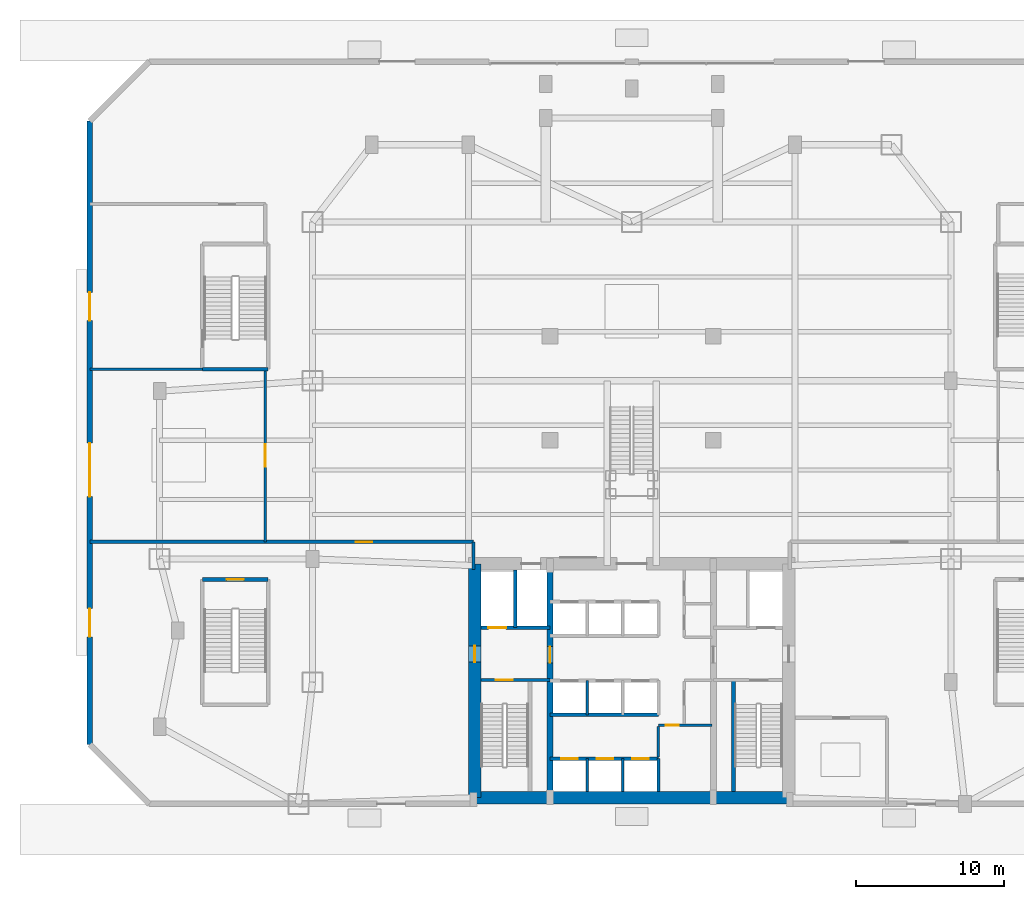
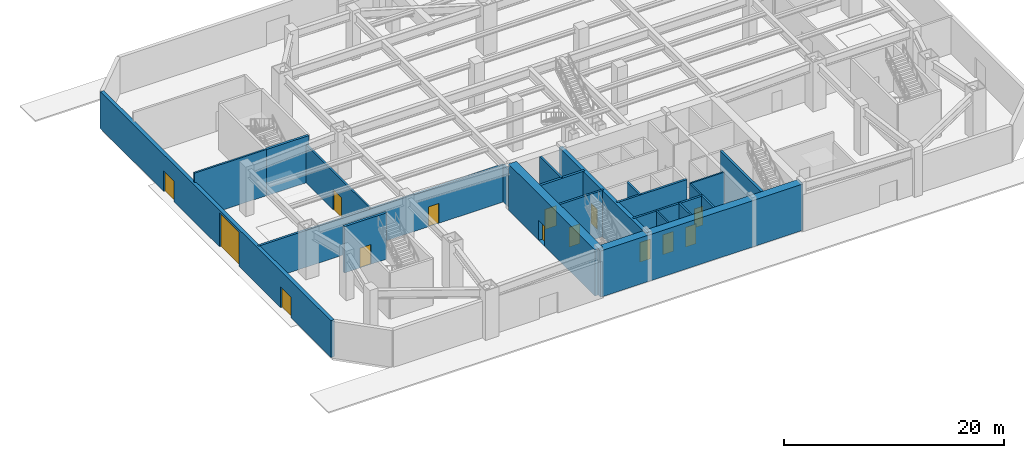
# One storey, part 5 of 11: 22 walls, 14 doors, 14 openings.
"""IFC4 building model written with IfcOpenShell, lengths in metres."""

import ifcopenshell
import ifcopenshell.guid

model = None  # the IFC model being written
_history = None  # IfcOwnerHistory: only IFC2X3 demands one
_inside = {}  # id of a spatial element -> (the spatial element, [elements in it])
_under = {}  # id of a project, library or spatial element -> (it, [spatial elements below it])
_declared = {}  # id of a project -> (the project, [libraries it declares])
_typed = {}  # id of a type object -> (the type object, [elements of that type])
_made_of = {}  # id of a material, layer set ... -> (it, [elements and type objects made of it])


def new_model(schema):
    """Start an empty IFC model of exactly this schema.

    Asked for "IFC4X3", IfcOpenShell would pick the latest addendum, in which some entities
    have other attributes; the version numbers below select the first issue.
    IFC2X3 requires an IfcOwnerHistory on every rooted entity: one is made here for all.
    """
    global model, _history
    if schema == "IFC4X3":
        model = ifcopenshell.file(schema_version=(4, 3, 0, 0))
    else:
        model = ifcopenshell.file(schema=schema)
    _inside.clear()
    _under.clear()
    _declared.clear()
    _typed.clear()
    _made_of.clear()
    _history = None
    if model.schema == "IFC2X3":
        org = make("IfcOrganization", Name="unknown")
        user = make(
            "IfcPersonAndOrganization",
            ThePerson=make("IfcPerson", FamilyName="unknown"),
            TheOrganization=org,
        )
        app = make(
            "IfcApplication",
            ApplicationDeveloper=org,
            Version="unknown",
            ApplicationFullName="unknown",
            ApplicationIdentifier="unknown",
        )
        _history = make(
            "IfcOwnerHistory",
            OwningUser=user,
            OwningApplication=app,
            ChangeAction="ADDED",
            CreationDate=0,
        )
    return model


def make(cls, **values):
    """One entity of the class cls with the attributes given. An attribute that is None is left unset."""
    return model.create_entity(
        cls, **{name: value for name, value in values.items() if value is not None}
    )


def rooted(cls, **values):
    """An entity with a GlobalId (a new one), such as an element, a storey or a relation."""
    return make(cls, GlobalId=ifcopenshell.guid.new(), OwnerHistory=_history, **values)


def si_unit(unit_type, name, prefix=None):
    """IfcSIUnit, for example si_unit("LENGTHUNIT", "METRE", prefix="MILLI")."""
    return make("IfcSIUnit", UnitType=unit_type, Prefix=prefix, Name=name)


def assignment(units):
    """IfcUnitAssignment: the units of a project."""
    return None if units is None else make("IfcUnitAssignment", Units=units)


def point(xyz):
    """IfcCartesianPoint."""
    return None if xyz is None else make("IfcCartesianPoint", Coordinates=xyz)


def direction(xyz):
    """IfcDirection."""
    return None if xyz is None else make("IfcDirection", DirectionRatios=xyz)


def frame(location, z_axis=None, x_axis=None):
    """IfcAxis2Placement3D, a coordinate frame: its origin and axes. An axis left out is left unset."""
    return make(
        "IfcAxis2Placement3D",
        Location=point(location),
        Axis=direction(z_axis),
        RefDirection=direction(x_axis),
    )


def frame_2d(location, x_axis=None):
    """IfcAxis2Placement2D, a coordinate frame in the plane: its origin and x axis."""
    return make(
        "IfcAxis2Placement2D", Location=point(location), RefDirection=direction(x_axis)
    )


def origin():
    """The frame at (0, 0, 0) with its axes left unset."""
    return frame((0.0, 0.0, 0.0))


def place(relative_to, where):
    """IfcLocalPlacement: puts the frame where relative to a parent placement (None: the world)."""
    return make(
        "IfcLocalPlacement", PlacementRelTo=relative_to, RelativePlacement=where
    )


def context(
    kind, dimensions, precision=None, world=None, true_north=None, identifier=None
):
    """IfcGeometricRepresentationContext, for example the 3D "Model" context."""
    return make(
        "IfcGeometricRepresentationContext",
        ContextIdentifier=identifier,
        ContextType=kind,
        CoordinateSpaceDimension=dimensions,
        Precision=precision,
        WorldCoordinateSystem=world,
        TrueNorth=true_north,
    )


def subcontext(parent, identifier, kind, view, scale=None):
    """IfcGeometricRepresentationSubContext, for example "Body" below "Model"."""
    return make(
        "IfcGeometricRepresentationSubContext",
        ContextIdentifier=identifier,
        ContextType=kind,
        ParentContext=parent,
        TargetScale=scale,
        TargetView=view,
    )


def project(units=None, contexts=None):
    """IfcProject with its units and contexts."""
    return rooted(
        "IfcProject",
        Name="project",
        RepresentationContexts=contexts,
        UnitsInContext=assignment(units),
    )


def spatial(cls, under=None, at=None, **own):
    """A site, building, storey or space (cls), placed at a placement, below another one or the project."""
    s = rooted(cls, ObjectPlacement=at, **own)
    if under is not None:
        _under.setdefault(under.id(), (under, []))[1].append(s)
    return s


def profile(cls, at=None, kind="AREA", **sizes):
    """A parametric profile (cls). Its sizes go by their IFC names, for example OverallWidth=200.0."""
    return make(cls, ProfileType=kind, Position=at, **sizes)


def rectangle(**sizes):
    """IfcRectangleProfileDef."""
    return profile("IfcRectangleProfileDef", **sizes)


def extrude(swept, where, along, depth):
    """IfcExtrudedAreaSolid: the profile swept, set in the frame where, extruded along a direction by depth."""
    return make(
        "IfcExtrudedAreaSolid",
        SweptArea=swept,
        Position=where,
        ExtrudedDirection=direction(along),
        Depth=depth,
    )


def shape(context_of_items, identifier, shape_type, items):
    """IfcShapeRepresentation: the items that make up one representation, for example the "Body"."""
    return make(
        "IfcShapeRepresentation",
        ContextOfItems=context_of_items,
        RepresentationIdentifier=identifier,
        RepresentationType=shape_type,
        Items=items,
    )


def source(mapping_origin, context_of_items, identifier, shape_type, items):
    """IfcRepresentationMap: a shape defined once, which mapped items show again and again."""
    return make(
        "IfcRepresentationMap",
        MappingOrigin=mapping_origin,
        MappedRepresentation=shape(context_of_items, identifier, shape_type, items),
    )


def transform(
    local_origin,
    x_axis=None,
    y_axis=None,
    z_axis=None,
    scale=None,
    scale2=None,
    scale3=None,
    uniform=True,
):
    """IfcCartesianTransformationOperator3D, or its non-uniform kind. x_axis, y_axis, z_axis: its Axis1, 2, 3."""
    if uniform:
        return make(
            "IfcCartesianTransformationOperator3D",
            Axis1=direction(x_axis),
            Axis2=direction(y_axis),
            LocalOrigin=point(local_origin),
            Scale=scale,
            Axis3=direction(z_axis),
        )
    return make(
        "IfcCartesianTransformationOperator3DnonUniform",
        Axis1=direction(x_axis),
        Axis2=direction(y_axis),
        LocalOrigin=point(local_origin),
        Scale=scale,
        Axis3=direction(z_axis),
        Scale2=scale2,
        Scale3=scale3,
    )


def mapped(mapping_source, mapping_target):
    """IfcMappedItem: shows the shape of a source again, moved by a transform."""
    return make(
        "IfcMappedItem", MappingSource=mapping_source, MappingTarget=mapping_target
    )


def material(Name=None, Category=None):
    """IfcMaterial."""
    return make("IfcMaterial", Name=Name, Category=Category)


def layer(
    of_material, thickness, ventilated=None, Name=None, Category=None, Priority=None
):
    """IfcMaterialLayer: one layer of a wall or slab, of a material (None: an air gap)."""
    return make(
        "IfcMaterialLayer",
        Material=of_material,
        LayerThickness=thickness,
        IsVentilated=ventilated,
        Name=Name,
        Category=Category,
        Priority=Priority,
    )


def layer_set(layers, Name=None):
    """IfcMaterialLayerSet."""
    return make("IfcMaterialLayerSet", MaterialLayers=layers, LayerSetName=Name)


def made_of(thing, what):
    """Note that an element or type object is made of a material, layer set ...; save() writes the relation."""
    if what is not None:
        _made_of.setdefault(what.id(), (what, []))[1].append(thing)
    return thing


def type_object(cls, material=None, **own):
    """A type object (cls), such as IfcWallType, which elements share."""
    return made_of(rooted(cls, **own), material)


def type_shapes(of_type, sources):
    """Give a type object the sources (RepresentationMaps) that its elements show as mapped items."""
    of_type.RepresentationMaps = sources


def element(
    cls,
    number,
    at=None,
    inside=None,
    cuts=None,
    type_object=None,
    material=None,
    context=None,
    identifier="Body",
    shape_type=None,
    held_by="IfcProductDefinitionShape",
    body=None,
    shapes=None,
    **own,
):
    """One element of the class cls, such as IfcWall. Its Tag is "e" and its number.

    at: its placement. inside: the storey or other place that contains it. cuts: it is an
    opening in that element (IfcRelVoidsElement). A single representation is given by context,
    identifier, shape_type and body (its items); several are given by shapes. held_by: the class
    of the entity that holds the representations. save() writes the other relations.
    """
    e = rooted(cls, Tag="e%d" % number, ObjectPlacement=at, **own)
    if body is not None:
        shapes = [shape(context, identifier, shape_type, body)]
    if shapes is not None:
        e.Representation = make(held_by, Representations=shapes)
    if inside is not None:
        _inside.setdefault(inside.id(), (inside, []))[1].append(e)
    if cuts is not None:
        rooted(
            "IfcRelVoidsElement", RelatingBuildingElement=cuts, RelatedOpeningElement=e
        )
    if type_object is not None:
        _typed.setdefault(type_object.id(), (type_object, []))[1].append(e)
    return made_of(e, material)


def fill(opening, filler):
    """IfcRelFillsElement: the door or window that sits in an opening."""
    return rooted(
        "IfcRelFillsElement",
        RelatingOpeningElement=opening,
        RelatedBuildingElement=filler,
    )


def aggregate(whole, parts):
    """IfcRelAggregates: a whole, such as a stair, and the parts it consists of."""
    return rooted("IfcRelAggregates", RelatingObject=whole, RelatedObjects=parts)


def save(model, path):
    """Write the relations noted so far, then the file.

    IfcRelAggregates (storeys below a building ...), IfcRelContainedInSpatialStructure (elements
    in a storey), IfcRelDefinesByType, IfcRelAssociatesMaterial and IfcRelDeclares: one each for
    every whole, place, type object, material and project.
    """
    for whole, parts in _under.values():
        aggregate(whole, parts)
    for where, things in _inside.values():
        rooted(
            "IfcRelContainedInSpatialStructure",
            RelatedElements=things,
            RelatingStructure=where,
        )
    for kind, things in _typed.values():
        rooted("IfcRelDefinesByType", RelatedObjects=things, RelatingType=kind)
    for what, things in _made_of.values():
        rooted("IfcRelAssociatesMaterial", RelatedObjects=things, RelatingMaterial=what)
    for by, libraries in _declared.values():
        rooted("IfcRelDeclares", RelatingContext=by, RelatedDefinitions=libraries)
    model.write(path)


model = new_model("IFC4")

# Units and contexts
model_context = context("Model", 3, precision=1e-05, world=origin(), true_north=direction((0.0, 1.0)))
body_context = subcontext(model_context, "Body", "Model", "MODEL_VIEW")
ifc_project = project(units=[si_unit("LENGTHUNIT", "METRE"), si_unit("AREAUNIT", "SQUARE_METRE"), si_unit("VOLUMEUNIT", "CUBIC_METRE"), si_unit("PLANEANGLEUNIT", "RADIAN"), si_unit("MASSUNIT", "GRAM", prefix="KILO")], contexts=[model_context])

# Site, building, storey
site_placement = place(None, origin())
site = spatial("IfcSite", under=ifc_project, at=site_placement, CompositionType="ELEMENT")
building_placement = place(site_placement, origin())
building = spatial("IfcBuilding", under=site, at=building_placement, Name="Varnakhor Terracotta Tower", CompositionType="ELEMENT")
storey_placement = place(building_placement, origin())
storey = spatial("IfcBuildingStorey", under=building, at=storey_placement, Name="L00", CompositionType="ELEMENT", Elevation=0.0)

# Wall
ifc_material_1 = material(Name="Concrete C60/75", Category="concrete")
ifc_layer_1 = layer(ifc_material_1, 0.85009765625, Name="Concrete C60/75")
ifc_layer_set_1 = layer_set([ifc_layer_1], Name="Concrete C60/75")
wall_type_1 = type_object("IfcWallType", Name="WAL-CORE-850", PredefinedType="SHEAR", material=ifc_layer_set_1)
wall_1_placement = place(storey_placement, frame((-10.64990234375, 0.425048828125, 0.0), z_axis=(0.0, 0.0, 1.0), x_axis=(1.0, 0.0, 0.0)))
element("IfcWall", 1, at=wall_1_placement, inside=storey, type_object=wall_type_1, Name="L00 South Core Shear Wall", PredefinedType="SHEAR", context=body_context, shape_type="SweptSolid", body=[
    extrude(rectangle(XDim=21.2998046875, YDim=0.85009765625, at=frame_2d((10.64990234375, 0.0))), origin(), (0.0, 0.0, 1.0), 5.14990234375),
])

# Wall, opening, door
wall_2_placement = place(storey_placement, frame((-10.574951171875, 0.425048828125, 0.0), z_axis=(0.0, 0.0, 1.0), x_axis=(0.0, 1.0, 0.0)))
wall_2 = element("IfcWall", 2, at=wall_2_placement, inside=storey, type_object=wall_type_1, Name="L00 West Core Shear Wall", PredefinedType="SHEAR", context=body_context, shape_type="SweptSolid", body=[
    extrude(rectangle(XDim=15.75, YDim=0.85009765625, at=frame_2d((7.875, 0.0))), origin(), (0.0, 0.0, 1.0), 5.14990234375),
])
opening_1_placement = place(wall_2_placement, frame((9.125, 0.0, 0.0)))
opening_1 = element("IfcOpeningElement", 3, at=opening_1_placement, cuts=wall_2, Name="Opening DR-25", PredefinedType="OPENING", context=body_context, shape_type="SweptSolid", body=[
    extrude(rectangle(XDim=1.10009765625, YDim=2.199951171875, at=frame_2d((0.550048828125, 1.10009765625))), frame((0.0, 0.43505859375, 0.0), z_axis=(0.0, -1.0, 0.0), x_axis=(1.0, 0.0, 0.0)), (0.0, 0.0, 1.0), 0.8701171875),
])
ifc_material_2 = material(Name="Firefighting Lobby Self-Closing Fire Door", Category="steel")
door_type_1 = type_object("IfcDoorType", Name="DR-FFL-1100X2200", OperationType="NOTDEFINED", PredefinedType="DOOR", material=ifc_material_2)
shared_shape_1 = source(origin(), body_context, "Body", "SweptSolid", [
    extrude(rectangle(XDim=1.10009765625, YDim=2.199951171875, at=frame_2d((0.550048828125, 1.10009765625))), frame((0.0, 0.02490234375, 0.0), z_axis=(0.0, -1.0, 0.0), x_axis=(1.0, 0.0, 0.0)), (0.0, 0.0, 1.0), 0.050048828125),
])
type_shapes(door_type_1, [shared_shape_1])
door_1_placement = place(opening_1_placement, origin())
door_1 = element("IfcDoor", 4, at=door_1_placement, inside=storey, type_object=door_type_1, Name="L00 West Core Stair Protected Discharge Door", OperationType="SINGLE_SWING_LEFT", OverallHeight=2.199951171875, OverallWidth=1.10009765625, PredefinedType="DOOR", context=body_context, shape_type="MappedRepresentation", body=[
    mapped(shared_shape_1, transform((0.0, 0.0, 0.0), scale=1.0)),
])
fill(opening_1, door_1)

ifc_material_3 = material(Name="Concrete C50/60", Category="concrete")
ifc_layer_2 = layer(ifc_material_3, 0.39990234375, Name="Concrete C50/60")
ifc_layer_set_2 = layer_set([ifc_layer_2], Name="Concrete C50/60")
wall_type_2 = type_object("IfcWallType", Name="WAL-CORE-WEB-400", PredefinedType="SHEAR", material=ifc_layer_set_2)
wall_3_placement = place(storey_placement, frame((-5.5, 0.425048828125, 0.0), z_axis=(0.0, 0.0, 1.0), x_axis=(0.0, 1.0, 0.0)))
wall_3 = element("IfcWall", 5, at=wall_3_placement, inside=storey, type_object=wall_type_2, Name="L00 West Core Web Shear Wall", PredefinedType="SHEAR", context=body_context, shape_type="SweptSolid", body=[
    extrude(rectangle(XDim=15.75, YDim=0.39990234375, at=frame_2d((7.875, 0.0))), origin(), (0.0, 0.0, 1.0), 5.14990234375),
])
opening_2_placement = place(wall_3_placement, frame((9.074951171875, 0.0, 0.0)))
opening_2 = element("IfcOpeningElement", 6, at=opening_2_placement, cuts=wall_3, Name="Opening DR-25", PredefinedType="OPENING", context=body_context, shape_type="SweptSolid", body=[
    extrude(rectangle(XDim=1.10009765625, YDim=2.199951171875, at=frame_2d((0.550048828125, 1.10009765625))), frame((0.0, 0.2099609375, 0.0), z_axis=(0.0, -1.0, 0.0), x_axis=(1.0, 0.0, 0.0)), (0.0, 0.0, 1.0), 0.419921875),
])
door_2_placement = place(opening_2_placement, origin())
door_2 = element("IfcDoor", 7, at=door_2_placement, inside=storey, type_object=door_type_1, Name="L00 West Firefighting Lobby Door", OperationType="SINGLE_SWING_RIGHT", OverallHeight=2.199951171875, OverallWidth=1.10009765625, PredefinedType="DOOR", context=body_context, shape_type="MappedRepresentation", body=[
    mapped(shared_shape_1, transform((0.0, 0.0, 0.0), scale=1.0)),
])
fill(opening_2, door_2)

ifc_material_4 = material(Name="Fire-Rated Gypsum Stud Partition", Category="gypsum")
ifc_layer_3 = layer(ifc_material_4, 0.18505859375, Name="Fire-Rated Gypsum Stud Partition")
ifc_layer_set_3 = layer_set([ifc_layer_3], Name="Fire-Rated Gypsum Stud Partition")
wall_type_3 = type_object("IfcWallType", Name="WAL-CORR-185", PredefinedType="PARTITIONING", material=ifc_layer_set_3)
wall_4_placement = place(storey_placement, frame((-24.679931640625, 17.64990234375, 0.0), z_axis=(0.0, 0.0, 1.0), x_axis=(0.0, 1.0, 0.0)))
wall_4 = element("IfcWall", 8, at=wall_4_placement, inside=storey, type_object=wall_type_3, Name="L00 Loading Bay Separation Wall", PredefinedType="PARTITIONING", context=body_context, shape_type="SweptSolid", body=[
    extrude(rectangle(XDim=11.630126953125, YDim=0.18505859375, at=frame_2d((5.81494140625, 0.0))), origin(), (0.0, 0.0, 1.0), 4.215087890625),
])
opening_3_placement = place(wall_4_placement, frame((5.06494140625, 0.0, 0.0)))
opening_3 = element("IfcOpeningElement", 9, at=opening_3_placement, cuts=wall_4, Name="Opening DR-30", PredefinedType="OPENING", context=body_context, shape_type="SweptSolid", body=[
    extrude(rectangle(XDim=1.5, YDim=2.25, at=frame_2d((0.75, 1.125))), frame((0.0, 0.1025390625, 0.0), z_axis=(0.0, -1.0, 0.0), x_axis=(1.0, 0.0, 0.0)), (0.0, 0.0, 1.0), 0.205078125),
])
ifc_material_5 = material(Name="Double Acoustic Conference Room Door", Category="wood")
door_type_2 = type_object("IfcDoorType", Name="DR-MEET-1500X2250", OperationType="NOTDEFINED", PredefinedType="DOOR", material=ifc_material_5)
shared_shape_2 = source(origin(), body_context, "Body", "SweptSolid", [
    extrude(rectangle(XDim=1.5, YDim=2.25, at=frame_2d((0.75, 1.125))), frame((0.0, 0.02490234375, 0.0), z_axis=(0.0, -1.0, 0.0), x_axis=(1.0, 0.0, 0.0)), (0.0, 0.0, 1.0), 0.050048828125),
])
type_shapes(door_type_2, [shared_shape_2])
door_3_placement = place(opening_3_placement, origin())
door_3 = element("IfcDoor", 10, at=door_3_placement, inside=storey, type_object=door_type_2, Name="Loading Bay Vestibule Door", OperationType="DOUBLE_DOOR_SINGLE_SWING", OverallHeight=2.25, OverallWidth=1.5, PredefinedType="DOOR", context=body_context, shape_type="MappedRepresentation", body=[
    mapped(shared_shape_2, transform((0.0, 0.0, 0.0), scale=1.0)),
])
fill(opening_3, door_3)

# Wall
wall_5_placement = place(storey_placement, frame((-36.489990234375, 29.280029296875, 0.0), z_axis=(0.0, 0.0, 1.0), x_axis=(1.0, 0.0, 0.0)))
element("IfcWall", 11, at=wall_5_placement, inside=storey, type_object=wall_type_3, Name="L00 Loading Bay North Wall", PredefinedType="PARTITIONING", context=body_context, shape_type="SweptSolid", body=[
    extrude(rectangle(XDim=7.570068359375, YDim=0.18505859375, at=frame_2d((3.78515625, 0.0))), origin(), (0.0, 0.0, 1.0), 5.14208984375),
])

# Wall, openings, doors
ifc_material_6 = material(Name="Honed Riyadh Limestone Assembly", Category="masonry")
ifc_layer_4 = layer(ifc_material_6, 0.3798828125, Name="Honed Riyadh Limestone Assembly")
ifc_layer_set_4 = layer_set([ifc_layer_4], Name="Honed Riyadh Limestone Assembly")
wall_type_4 = type_object("IfcWallType", Name="WAL-EXT-LIMESTONE-380", PredefinedType="SOLIDWALL", material=ifc_layer_set_4)
wall_6_placement = place(storey_placement, frame((-36.5, 4.0, 0.0), z_axis=(0.0, 0.0, 1.0), x_axis=(0.0, 1.0, 0.0)))
wall_6 = element("IfcWall", 12, at=wall_6_placement, inside=storey, type_object=wall_type_4, Name="L00 Podium Side Limestone Wall 1", PredefinedType="SOLIDWALL", context=body_context, shape_type="SweptSolid", body=[
    extrude(rectangle(XDim=42.0, YDim=0.3798828125, at=frame_2d((21.0, 0.0))), origin(), (0.0, 0.0, 1.0), 4.090087890625),
])
opening_4_placement = place(wall_6_placement, frame((7.25, 0.0, 0.0)))
opening_4 = element("IfcOpeningElement", 13, at=opening_4_placement, cuts=wall_6, Name="Opening DR-56", PredefinedType="OPENING", context=body_context, shape_type="SweptSolid", body=[
    extrude(rectangle(XDim=1.89990234375, YDim=2.300048828125, at=frame_2d((0.949951171875, 1.14990234375))), frame((0.0, 0.199951171875, 0.0), z_axis=(0.0, -1.0, 0.0), x_axis=(1.0, 0.0, 0.0)), (0.0, 0.0, 1.0), 0.39990234375),
])
opening_5_placement = place(wall_6_placement, frame((28.550048828125, 0.0, 0.0)))
opening_5 = element("IfcOpeningElement", 14, at=opening_5_placement, cuts=wall_6, Name="Opening DR-56", PredefinedType="OPENING", context=body_context, shape_type="SweptSolid", body=[
    extrude(rectangle(XDim=1.89990234375, YDim=2.300048828125, at=frame_2d((0.949951171875, 1.14990234375))), frame((0.0, 0.199951171875, 0.0), z_axis=(0.0, -1.0, 0.0), x_axis=(1.0, 0.0, 0.0)), (0.0, 0.0, 1.0), 0.39990234375),
])
opening_6_placement = place(wall_6_placement, frame((16.699951171875, 0.0, 0.0)))
opening_6 = element("IfcOpeningElement", 15, at=opening_6_placement, cuts=wall_6, Name="Opening DR-14", PredefinedType="OPENING", context=body_context, shape_type="SweptSolid", body=[
    extrude(rectangle(XDim=3.60009765625, YDim=3.800048828125, at=frame_2d((1.800048828125, 1.89990234375))), frame((0.0, 0.199951171875, 0.0), z_axis=(0.0, -1.0, 0.0), x_axis=(1.0, 0.0, 0.0)), (0.0, 0.0, 1.0), 0.39990234375),
])
ifc_material_7 = material(Name="Insulated Steel Double Exit Door", Category="steel")
door_type_3 = type_object("IfcDoorType", Name="DR-EXT-EXIT-1900X2300", OperationType="NOTDEFINED", PredefinedType="DOOR", material=ifc_material_7)
shared_shape_3 = source(origin(), body_context, "Body", "SweptSolid", [
    extrude(rectangle(XDim=1.89990234375, YDim=2.300048828125, at=frame_2d((0.949951171875, 1.14990234375))), frame((0.0, 0.02490234375, 0.0), z_axis=(0.0, -1.0, 0.0), x_axis=(1.0, 0.0, 0.0)), (0.0, 0.0, 1.0), 0.050048828125),
])
type_shapes(door_type_3, [shared_shape_3])
door_4_placement = place(opening_4_placement, origin())
door_4 = element("IfcDoor", 16, at=door_4_placement, inside=storey, type_object=door_type_3, Name="L00 Podium Exit Discharge Door W1", OperationType="DOUBLE_DOOR_SINGLE_SWING", OverallHeight=2.300048828125, OverallWidth=1.89990234375, PredefinedType="DOOR", context=body_context, shape_type="MappedRepresentation", body=[
    mapped(shared_shape_3, transform((0.0, 0.0, 0.0), scale=1.0)),
])
fill(opening_4, door_4)
door_5_placement = place(opening_5_placement, origin())
door_5 = element("IfcDoor", 17, at=door_5_placement, inside=storey, type_object=door_type_3, Name="L00 Podium Exit Discharge Door W2", OperationType="DOUBLE_DOOR_SINGLE_SWING", OverallHeight=2.300048828125, OverallWidth=1.89990234375, PredefinedType="DOOR", context=body_context, shape_type="MappedRepresentation", body=[
    mapped(shared_shape_3, transform((0.0, 0.0, 0.0), scale=1.0)),
])
fill(opening_5, door_5)
ifc_material_8 = material(Name="Insulated Sectional Steel Service Bay Gate", Category="steel")
door_type_4 = type_object("IfcDoorType", Name="DR-GATE-3600X3800", OperationType="NOTDEFINED", PredefinedType="GATE", material=ifc_material_8)
shared_shape_4 = source(origin(), body_context, "Body", "SweptSolid", [
    extrude(rectangle(XDim=3.60009765625, YDim=3.800048828125, at=frame_2d((1.800048828125, 1.89990234375))), frame((0.0, 0.02490234375, 0.0), z_axis=(0.0, -1.0, 0.0), x_axis=(1.0, 0.0, 0.0)), (0.0, 0.0, 1.0), 0.050048828125),
])
type_shapes(door_type_4, [shared_shape_4])
door_6_placement = place(opening_6_placement, origin())
door_6 = element("IfcDoor", 18, at=door_6_placement, inside=storey, type_object=door_type_4, Name="L00 Service Loading Bay Gate", OperationType="FOLDING_TO_LEFT", OverallHeight=3.800048828125, OverallWidth=3.60009765625, PredefinedType="GATE", context=body_context, shape_type="MappedRepresentation", body=[
    mapped(shared_shape_4, transform((0.0, 0.0, 0.0), scale=1.0)),
])
fill(opening_6, door_6)

# Wall, opening, door
ifc_material_9 = material(Name="Concrete C40/50", Category="concrete")
ifc_layer_5 = layer(ifc_material_9, 0.219970703125, Name="Concrete C40/50")
ifc_layer_set_5 = layer_set([ifc_layer_5], Name="Concrete C40/50")
wall_type_5 = type_object("IfcWallType", Name="WAL-FFLOBBY-220", PredefinedType="SOLIDWALL", material=ifc_layer_set_5)
wall_7_placement = place(storey_placement, frame((-10.14990234375, 8.35009765625, 0.0), z_axis=(0.0, 0.0, 1.0), x_axis=(1.0, 0.0, 0.0)))
wall_7 = element("IfcWall", 19, at=wall_7_placement, inside=storey, type_object=wall_type_5, Name="L00 West Firefighting Lobby Stair Wall", PredefinedType="SOLIDWALL", context=body_context, shape_type="SweptSolid", body=[
    extrude(rectangle(XDim=4.64990234375, YDim=0.219970703125, at=frame_2d((2.324951171875, 0.0))), origin(), (0.0, 0.0, 1.0), 5.14990234375),
])
opening_7_placement = place(wall_7_placement, frame((1.0, 0.0, 0.0)))
opening_7 = element("IfcOpeningElement", 20, at=opening_7_placement, cuts=wall_7, Name="Opening DR-34", PredefinedType="OPENING", context=body_context, shape_type="SweptSolid", body=[
    extrude(rectangle(XDim=1.14990234375, YDim=2.199951171875, at=frame_2d((0.574951171875, 1.10009765625))), frame((0.0, 0.1201171875, 0.0), z_axis=(0.0, -1.0, 0.0), x_axis=(1.0, 0.0, 0.0)), (0.0, 0.0, 1.0), 0.239990234375),
])
ifc_material_10 = material(Name="Self-Closing Smoke-Sealed Steel Fire Door", Category="steel")
door_type_5 = type_object("IfcDoorType", Name="DR-STAIR-1150X2200", OperationType="NOTDEFINED", PredefinedType="DOOR", material=ifc_material_10)
shared_shape_5 = source(origin(), body_context, "Body", "SweptSolid", [
    extrude(rectangle(XDim=1.14990234375, YDim=2.199951171875, at=frame_2d((0.574951171875, 1.10009765625))), frame((0.0, 0.02490234375, 0.0), z_axis=(0.0, -1.0, 0.0), x_axis=(1.0, 0.0, 0.0)), (0.0, 0.0, 1.0), 0.050048828125),
])
type_shapes(door_type_5, [shared_shape_5])
door_7_placement = place(opening_7_placement, origin())
door_7 = element("IfcDoor", 21, at=door_7_placement, inside=storey, type_object=door_type_5, Name="L00 Exit Stair ST-1 Fire Door", OperationType="SINGLE_SWING_LEFT", OverallHeight=2.199951171875, OverallWidth=1.14990234375, PredefinedType="DOOR", context=body_context, shape_type="MappedRepresentation", body=[
    mapped(shared_shape_5, transform((0.0, 0.0, 0.0), scale=1.0)),
])
fill(opening_7, door_7)

wall_8_placement = place(storey_placement, frame((-36.489990234375, 17.64990234375, 0.0), z_axis=(0.0, 0.0, 1.0), x_axis=(1.0, 0.0, 0.0)))
wall_8 = element("IfcWall", 22, at=wall_8_placement, inside=storey, type_object=wall_type_5, Name="L00 West Protected Exit Passageway North Wall", PredefinedType="SOLIDWALL", context=body_context, shape_type="SweptSolid", body=[
    extrude(rectangle(XDim=25.840087890625, YDim=0.219970703125, at=frame_2d((12.919921875, 0.0))), origin(), (0.0, 0.0, 1.0), 4.10205078125),
])
opening_8_placement = place(wall_8_placement, frame((17.9052734375, 0.0, 0.0)))
opening_8 = element("IfcOpeningElement", 23, at=opening_8_placement, cuts=wall_8, Name="Opening DR-25", PredefinedType="OPENING", context=body_context, shape_type="SweptSolid", body=[
    extrude(rectangle(XDim=1.10009765625, YDim=2.199951171875, at=frame_2d((0.550048828125, 1.10009765625))), frame((0.0, 0.1201171875, 0.0), z_axis=(0.0, -1.0, 0.0), x_axis=(1.0, 0.0, 0.0)), (0.0, 0.0, 1.0), 0.239990234375),
])
door_8_placement = place(opening_8_placement, origin())
door_8 = element("IfcDoor", 24, at=door_8_placement, inside=storey, type_object=door_type_1, Name="West Exit Passageway Fire Door", OperationType="SINGLE_SWING_RIGHT", OverallHeight=2.199951171875, OverallWidth=1.10009765625, PredefinedType="DOOR", context=body_context, shape_type="MappedRepresentation", body=[
    mapped(shared_shape_1, transform((0.0, 0.0, 0.0), scale=1.0)),
])
fill(opening_8, door_8)

# Walls
wall_9_placement = place(storey_placement, frame((-10.64990234375, 15.800048828125, 0.0), z_axis=(0.0, 0.0, 1.0), x_axis=(0.0, 1.0, 0.0)))
element("IfcWall", 25, at=wall_9_placement, inside=storey, type_object=wall_type_5, Name="L00 West Protected Exit Passageway Core Return Wall", PredefinedType="SOLIDWALL", context=body_context, shape_type="SweptSolid", body=[
    extrude(rectangle(XDim=1.849853515625, YDim=0.219970703125, at=frame_2d((0.9248046875, 0.0))), origin(), (0.0, 0.0, 1.0), 4.10205078125),
])
ifc_layer_6 = layer(ifc_material_9, 0.179931640625, Name="Concrete C40/50")
ifc_layer_set_6 = layer_set([ifc_layer_6], Name="Concrete C40/50")
wall_type_6 = type_object("IfcWallType", Name="WAL-SHAFT-180", PredefinedType="SOLIDWALL", material=ifc_layer_set_6)
for number, where, z_axis, x_axis, name in (
    (26, (-3.0, 0.85009765625, 0.0), (0.0, 0.0, 1.0), (0.0, 1.0, 0.0), "L00 PL-1A Divider"),
    (27, (-0.60009765625, 0.85009765625, 0.0), (0.0, 0.0, 1.0), (0.0, 1.0, 0.0), "L00 PL-1B Divider"),
):
    element("IfcWall", number, at=place(storey_placement, frame(where, z_axis=z_axis, x_axis=x_axis)), inside=storey, type_object=wall_type_6, Name=name, PredefinedType="SOLIDWALL", context=body_context, shape_type="SweptSolid", body=[
        extrude(rectangle(XDim=2.199951171875, YDim=0.179931640625, at=frame_2d((1.10009765625, 0.0))), origin(), (0.0, 0.0, 1.0), 5.14990234375),
    ])
wall_10_placement = place(storey_placement, frame((-3.0, 6.0, 0.0), z_axis=(0.0, 0.0, 1.0), x_axis=(0.0, 1.0, 0.0)))
element("IfcWall", 28, at=wall_10_placement, inside=storey, type_object=wall_type_6, Name="L00 PL-2A Divider", PredefinedType="SOLIDWALL", context=body_context, shape_type="SweptSolid", body=[
    extrude(rectangle(XDim=2.300048828125, YDim=0.179931640625, at=frame_2d((1.14990234375, 0.0))), origin(), (0.0, 0.0, 1.0), 5.14990234375),
])
ifc_layer_7 = layer(ifc_material_9, 0.219970703125, Name="Concrete C40/50")
ifc_layer_set_7 = layer_set([ifc_layer_7], Name="Concrete C40/50")
wall_type_7 = type_object("IfcWallType", Name="WAL-SHAFT-220", PredefinedType="SOLIDWALL", material=ifc_layer_set_7)
wall_11_placement = place(storey_placement, frame((-7.840087890625, 11.8701171875, 0.0), z_axis=(0.0, 0.0, 1.0), x_axis=(0.0, 1.0, 0.0)))
element("IfcWall", 29, at=wall_11_placement, inside=storey, type_object=wall_type_7, Name="L00 Lift FFL-1 and SVL-1 Divider Wall", PredefinedType="SOLIDWALL", context=body_context, shape_type="SweptSolid", body=[
    extrude(rectangle(XDim=3.8798828125, YDim=0.219970703125, at=frame_2d((1.93994140625, 0.0))), origin(), (0.0, 0.0, 1.0), 5.14990234375),
])

# Wall, openings, doors
wall_12_placement = place(storey_placement, frame((-5.5, 3.050048828125, 0.0), z_axis=(0.0, 0.0, 1.0), x_axis=(1.0, 0.0, 0.0)))
wall_12 = element("IfcWall", 30, at=wall_12_placement, inside=storey, type_object=wall_type_7, Name="L00 Bank 1 Lift Shaft Wall", PredefinedType="SOLIDWALL", context=body_context, shape_type="SweptSolid", body=[
    extrude(rectangle(XDim=7.320068359375, YDim=0.219970703125, at=frame_2d((3.66015625, 0.0))), origin(), (0.0, 0.0, 1.0), 5.14990234375),
])
opening_9_placement = place(wall_12_placement, frame((0.75, 0.0, 0.0)))
opening_9 = element("IfcOpeningElement", 31, at=opening_9_placement, cuts=wall_12, Name="Opening LD-01", PredefinedType="OPENING", context=body_context, shape_type="SweptSolid", body=[
    extrude(rectangle(XDim=1.10009765625, YDim=2.199951171875, at=frame_2d((0.550048828125, 1.10009765625))), frame((0.0, 0.1201171875, 0.0), z_axis=(0.0, -1.0, 0.0), x_axis=(1.0, 0.0, 0.0)), (0.0, 0.0, 1.0), 0.239990234375),
])
opening_10_placement = place(wall_12_placement, frame((3.14990234375, 0.0, 0.0)))
opening_10 = element("IfcOpeningElement", 32, at=opening_10_placement, cuts=wall_12, Name="Opening LD-01", PredefinedType="OPENING", context=body_context, shape_type="SweptSolid", body=[
    extrude(rectangle(XDim=1.10009765625, YDim=2.199951171875, at=frame_2d((0.550048828125, 1.10009765625))), frame((0.0, 0.1201171875, 0.0), z_axis=(0.0, -1.0, 0.0), x_axis=(1.0, 0.0, 0.0)), (0.0, 0.0, 1.0), 0.239990234375),
])
opening_11_placement = place(wall_12_placement, frame((5.550048828125, 0.0, 0.0)))
opening_11 = element("IfcOpeningElement", 33, at=opening_11_placement, cuts=wall_12, Name="Opening LD-01", PredefinedType="OPENING", context=body_context, shape_type="SweptSolid", body=[
    extrude(rectangle(XDim=1.10009765625, YDim=2.199951171875, at=frame_2d((0.550048828125, 1.10009765625))), frame((0.0, 0.1201171875, 0.0), z_axis=(0.0, -1.0, 0.0), x_axis=(1.0, 0.0, 0.0)), (0.0, 0.0, 1.0), 0.239990234375),
])
ifc_material_11 = material(Name="Brushed Stainless Steel Sliding Lift Landing Door", Category="steel")
door_type_6 = type_object("IfcDoorType", Name="LD-PASS-1100X2200", OperationType="NOTDEFINED", PredefinedType="DOOR", material=ifc_material_11)
shared_shape_6 = source(origin(), body_context, "Body", "SweptSolid", [
    extrude(rectangle(XDim=1.10009765625, YDim=2.199951171875, at=frame_2d((0.550048828125, 1.10009765625))), frame((0.0, 0.02490234375, 0.0), z_axis=(0.0, -1.0, 0.0), x_axis=(1.0, 0.0, 0.0)), (0.0, 0.0, 1.0), 0.050048828125),
])
type_shapes(door_type_6, [shared_shape_6])
door_9_placement = place(opening_9_placement, origin())
door_9 = element("IfcDoor", 34, at=door_9_placement, inside=storey, type_object=door_type_6, Name="L00 Passenger Lift PL-1A Landing Door", OperationType="SLIDING_TO_RIGHT", OverallHeight=2.199951171875, OverallWidth=1.10009765625, PredefinedType="DOOR", context=body_context, shape_type="MappedRepresentation", body=[
    mapped(shared_shape_6, transform((0.0, 0.0, 0.0), scale=1.0)),
])
fill(opening_9, door_9)
door_10_placement = place(opening_10_placement, origin())
door_10 = element("IfcDoor", 35, at=door_10_placement, inside=storey, type_object=door_type_6, Name="L00 Passenger Lift PL-1B Landing Door", OperationType="SLIDING_TO_RIGHT", OverallHeight=2.199951171875, OverallWidth=1.10009765625, PredefinedType="DOOR", context=body_context, shape_type="MappedRepresentation", body=[
    mapped(shared_shape_6, transform((0.0, 0.0, 0.0), scale=1.0)),
])
fill(opening_10, door_10)
door_11_placement = place(opening_11_placement, origin())
door_11 = element("IfcDoor", 36, at=door_11_placement, inside=storey, type_object=door_type_6, Name="L00 Passenger Lift PL-1C Landing Door", OperationType="SLIDING_TO_RIGHT", OverallHeight=2.199951171875, OverallWidth=1.10009765625, PredefinedType="DOOR", context=body_context, shape_type="MappedRepresentation", body=[
    mapped(shared_shape_6, transform((0.0, 0.0, 0.0), scale=1.0)),
])
fill(opening_11, door_11)

# Walls
wall_13_placement = place(storey_placement, frame((1.800048828125, 0.85009765625, 0.0), z_axis=(0.0, 0.0, 1.0), x_axis=(0.0, 1.0, 0.0)))
element("IfcWall", 37, at=wall_13_placement, inside=storey, type_object=wall_type_7, Name="L00 Bank 1 East Shaft Wall", PredefinedType="SOLIDWALL", context=body_context, shape_type="SweptSolid", body=[
    extrude(rectangle(XDim=2.199951171875, YDim=0.219970703125, at=frame_2d((1.10009765625, 0.0))), origin(), (0.0, 0.0, 1.0), 5.14990234375),
])
wall_14_placement = place(storey_placement, frame((-5.5, 6.0, 0.0), z_axis=(0.0, 0.0, 1.0), x_axis=(1.0, 0.0, 0.0)))
element("IfcWall", 38, at=wall_14_placement, inside=storey, type_object=wall_type_7, Name="L00 Bank 2 South Shaft Wall", PredefinedType="SOLIDWALL", context=body_context, shape_type="SweptSolid", body=[
    extrude(rectangle(XDim=7.320068359375, YDim=0.219970703125, at=frame_2d((3.66015625, 0.0))), origin(), (0.0, 0.0, 1.0), 5.14990234375),
])

# Wall, opening, door
ifc_layer_8 = layer(ifc_material_9, 0.25, Name="Concrete C40/50")
ifc_layer_set_8 = layer_set([ifc_layer_8], Name="Concrete C40/50")
wall_type_8 = type_object("IfcWallType", Name="WAL-SHAFT-250", PredefinedType="SOLIDWALL", material=ifc_layer_set_8)
wall_15_placement = place(storey_placement, frame((-5.5, 11.8701171875, 0.0), z_axis=(0.0, 0.0, 1.0), x_axis=(-1.0, 0.0, 0.0)))
wall_15 = element("IfcWall", 39, at=wall_15_placement, inside=storey, type_object=wall_type_8, Name="L00 Lift FFL-1 Shaft Front Wall", PredefinedType="SOLIDWALL", context=body_context, shape_type="SweptSolid", body=[
    extrude(rectangle(XDim=4.64990234375, YDim=0.25, at=frame_2d((2.324951171875, 0.0))), origin(), (0.0, 0.0, 1.0), 5.14990234375),
])
opening_12_placement = place(wall_15_placement, frame((2.949951171875, 0.0, 0.0)))
opening_12 = element("IfcOpeningElement", 40, at=opening_12_placement, cuts=wall_15, Name="Opening LD-02", PredefinedType="OPENING", context=body_context, shape_type="SweptSolid", body=[
    extrude(rectangle(XDim=1.199951171875, YDim=2.25, at=frame_2d((0.60009765625, 1.125))), frame((0.0, 0.135009765625, 0.0), z_axis=(0.0, -1.0, 0.0), x_axis=(1.0, 0.0, 0.0)), (0.0, 0.0, 1.0), 0.27001953125),
])
ifc_material_12 = material(Name="Firefighting Stretcher Sliding Lift Landing Door", Category="steel")
door_type_7 = type_object("IfcDoorType", Name="LD-FFL-1200X2250", OperationType="NOTDEFINED", PredefinedType="DOOR", material=ifc_material_12)
shared_shape_7 = source(origin(), body_context, "Body", "SweptSolid", [
    extrude(rectangle(XDim=1.199951171875, YDim=2.25, at=frame_2d((0.60009765625, 1.125))), frame((0.0, 0.02490234375, 0.0), z_axis=(0.0, -1.0, 0.0), x_axis=(1.0, 0.0, 0.0)), (0.0, 0.0, 1.0), 0.050048828125),
])
type_shapes(door_type_7, [shared_shape_7])
door_12_placement = place(opening_12_placement, origin())
door_12 = element("IfcDoor", 41, at=door_12_placement, inside=storey, type_object=door_type_7, Name="L00 Firefighting Lift FFL-1 Landing Door", OperationType="SLIDING_TO_LEFT", OverallHeight=2.25, OverallWidth=1.199951171875, PredefinedType="DOOR", context=body_context, shape_type="MappedRepresentation", body=[
    mapped(shared_shape_7, transform((0.0, 0.0, 0.0), scale=1.0)),
])
fill(opening_12, door_12)

# Wall
wall_16_placement = place(storey_placement, frame((6.85009765625, 0.85009765625, 0.0), z_axis=(0.0, 0.0, 1.0), x_axis=(0.0, 1.0, 0.0)))
element("IfcWall", 42, at=wall_16_placement, inside=storey, type_object=wall_type_8, Name="L00 Stair ST-2 Bearing Shaft Wall", PredefinedType="SOLIDWALL", context=body_context, shape_type="SweptSolid", body=[
    extrude(rectangle(XDim=7.5, YDim=0.25, at=frame_2d((3.75, 0.0))), origin(), (0.0, 0.0, 1.0), 5.14990234375),
])

# Wall, opening, door
wall_17_placement = place(storey_placement, frame((-28.919921875, 15.1201171875, 0.0), z_axis=(0.0, 0.0, 1.0), x_axis=(1.0, 0.0, 0.0)))
wall_17 = element("IfcWall", 43, at=wall_17_placement, inside=storey, type_object=wall_type_8, Name="L00 ST-P1 Bearing Shaft Wall N", PredefinedType="SOLIDWALL", context=body_context, shape_type="SweptSolid", body=[
    extrude(rectangle(XDim=4.43994140625, YDim=0.25, at=frame_2d((2.219970703125, 0.0))), origin(), (0.0, 0.0, 1.0), 5.14990234375),
])
opening_13_placement = place(wall_17_placement, frame((1.64501953125, 0.0, 0.0)))
opening_13 = element("IfcOpeningElement", 44, at=opening_13_placement, cuts=wall_17, Name="Opening DR-34", PredefinedType="OPENING", context=body_context, shape_type="SweptSolid", body=[
    extrude(rectangle(XDim=1.14990234375, YDim=2.199951171875, at=frame_2d((0.574951171875, 1.10009765625))), frame((0.0, 0.135009765625, 0.0), z_axis=(0.0, -1.0, 0.0), x_axis=(1.0, 0.0, 0.0)), (0.0, 0.0, 1.0), 0.27001953125),
])
door_13_placement = place(opening_13_placement, origin())
door_13 = element("IfcDoor", 45, at=door_13_placement, inside=storey, type_object=door_type_5, Name="L00 Exit Stair ST-P1 Fire Door", OperationType="SINGLE_SWING_LEFT", OverallHeight=2.199951171875, OverallWidth=1.14990234375, PredefinedType="DOOR", context=body_context, shape_type="MappedRepresentation", body=[
    mapped(shared_shape_5, transform((0.0, 0.0, 0.0), scale=1.0)),
])
fill(opening_13, door_13)

# Walls
wall_18_placement = place(storey_placement, frame((-24.47998046875, 29.280029296875, 0.0), z_axis=(0.0, 0.0, 1.0), x_axis=(-1.0, 0.0, 0.0)))
element("IfcWall", 46, at=wall_18_placement, inside=storey, type_object=wall_type_8, Name="L00 ST-P3 Bearing Shaft Wall S", PredefinedType="SOLIDWALL", context=body_context, shape_type="SweptSolid", body=[
    extrude(rectangle(XDim=4.43994140625, YDim=0.25, at=frame_2d((2.219970703125, 0.0))), origin(), (0.0, 0.0, 1.0), 5.14990234375),
])
ifc_material_13 = material(Name="Acoustic Fire-Rated Partition", Category="gypsum")
ifc_layer_9 = layer(ifc_material_13, 0.1650390625, Name="Acoustic Fire-Rated Partition")
ifc_layer_set_9 = layer_set([ifc_layer_9], Name="Acoustic Fire-Rated Partition")
wall_type_9 = type_object("IfcWallType", Name="WAL-TENANCY-165", PredefinedType="PARTITIONING", material=ifc_layer_set_9)
wall_19_placement = place(storey_placement, frame((1.800048828125, 3.159912109375, 0.0), z_axis=(0.0, 0.0, 1.0), x_axis=(0.0, 1.0, 0.0)))
element("IfcWall", 47, at=wall_19_placement, inside=storey, type_object=wall_type_9, Name="L00 Core South West Return Wall", PredefinedType="PARTITIONING", context=body_context, shape_type="SweptSolid", body=[
    extrude(rectangle(XDim=2.0576171875, YDim=0.1650390625, at=frame_2d((1.02880859375, 0.0))), origin(), (0.0, 0.0, 1.0), 5.14208984375),
])

# Wall, opening, door
wall_20_placement = place(storey_placement, frame((1.800048828125, 5.300048828125, 0.0), z_axis=(0.0, 0.0, 1.0), x_axis=(1.0, 0.0, 0.0)))
wall_20 = element("IfcWall", 48, at=wall_20_placement, inside=storey, type_object=wall_type_9, Name="L00 Core South Service Rated Wall", PredefinedType="PARTITIONING", context=body_context, shape_type="SweptSolid", body=[
    extrude(rectangle(XDim=3.619873046875, YDim=0.1650390625, at=frame_2d((1.81005859375, 0.0))), origin(), (0.0, 0.0, 1.0), 5.14208984375),
])
opening_14_placement = place(wall_20_placement, frame((0.47998046875, 0.0, 0.0)))
opening_14 = element("IfcOpeningElement", 49, at=opening_14_placement, cuts=wall_20, Name="Opening DR-67", PredefinedType="OPENING", context=body_context, shape_type="SweptSolid", body=[
    extrude(rectangle(XDim=0.89990234375, YDim=2.10009765625, at=frame_2d((0.449951171875, 1.050048828125))), frame((0.0, 0.092529296875, 0.0), z_axis=(0.0, -1.0, 0.0), x_axis=(1.0, 0.0, 0.0)), (0.0, 0.0, 1.0), 0.18505859375),
])
ifc_material_14 = material(Name="Steel Service Riser Fire Door", Category="steel")
door_type_8 = type_object("IfcDoorType", Name="DR-RISER-900X2100", OperationType="NOTDEFINED", PredefinedType="DOOR", material=ifc_material_14)
shared_shape_8 = source(origin(), body_context, "Body", "SweptSolid", [
    extrude(rectangle(XDim=0.89990234375, YDim=2.10009765625, at=frame_2d((0.449951171875, 1.050048828125))), frame((0.0, 0.02490234375, 0.0), z_axis=(0.0, -1.0, 0.0), x_axis=(1.0, 0.0, 0.0)), (0.0, 0.0, 1.0), 0.050048828125),
])
type_shapes(door_type_8, [shared_shape_8])
door_14_placement = place(opening_14_placement, origin())
door_14 = element("IfcDoor", 50, at=door_14_placement, inside=storey, type_object=door_type_8, Name="L00 Core IT Room Door", OperationType="SINGLE_SWING_LEFT", OverallHeight=2.10009765625, OverallWidth=0.89990234375, PredefinedType="DOOR", context=body_context, shape_type="MappedRepresentation", body=[
    mapped(shared_shape_8, transform((0.0, 0.0, 0.0), scale=1.0)),
])
fill(opening_14, door_14)

save(model, "model.ifc")
